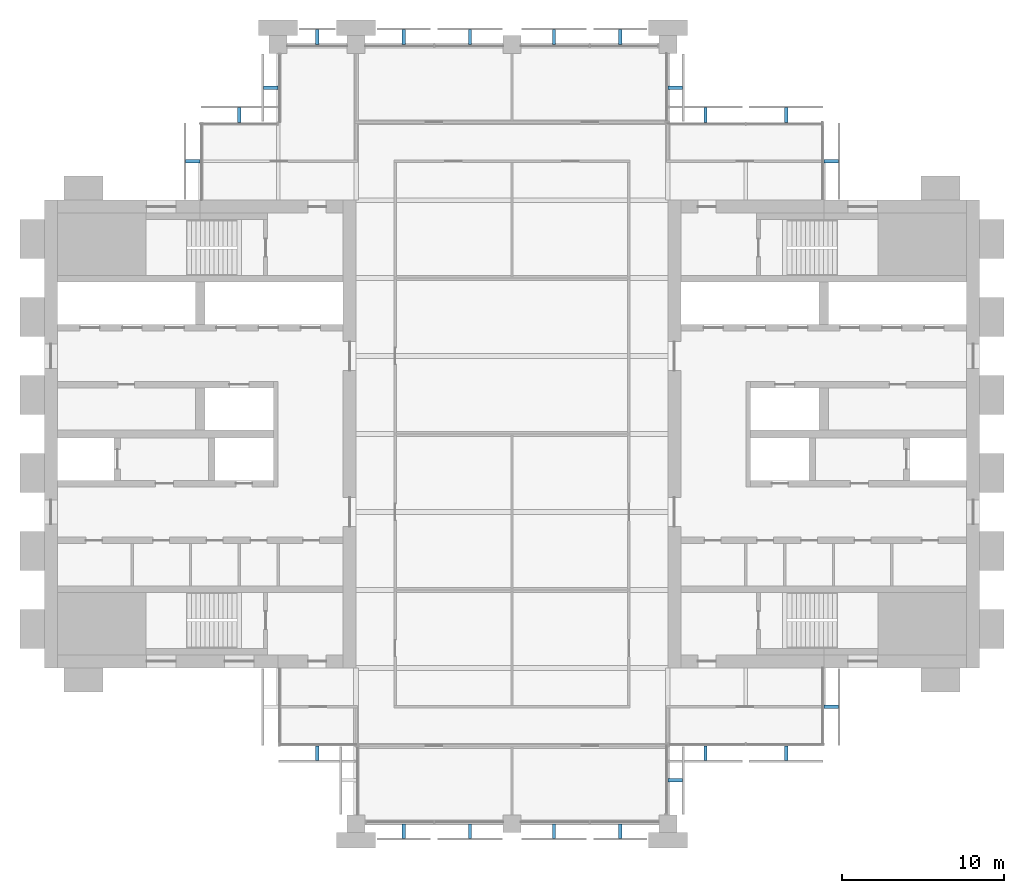
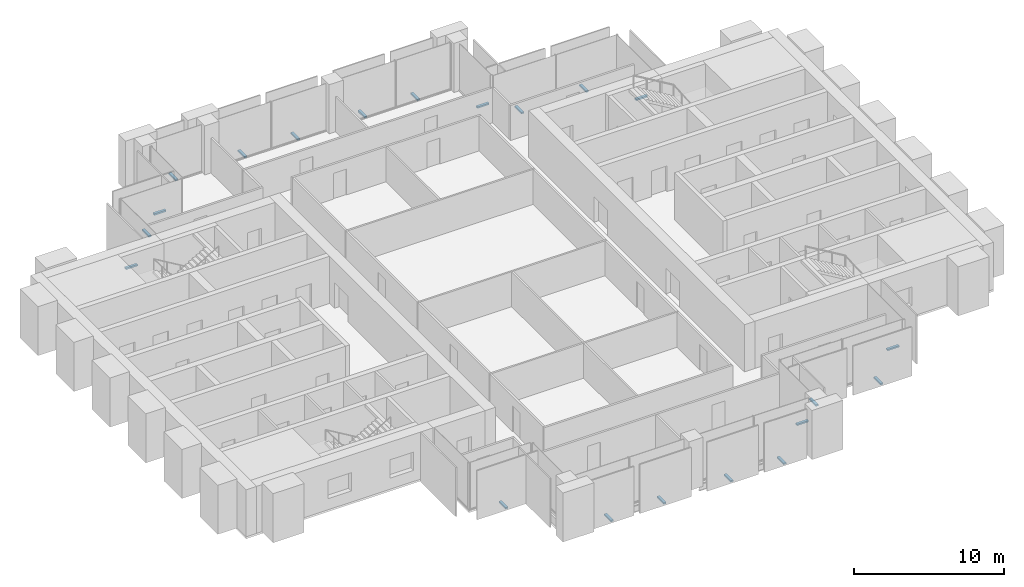
# One storey, part 12 of 13: 21 discrete accessories.
"""IFC4 building model written with IfcOpenShell, lengths in metres."""

import ifcopenshell
import ifcopenshell.guid

model = None  # the IFC model being written
_history = None  # IfcOwnerHistory: only IFC2X3 demands one
_inside = {}  # id of a spatial element -> (the spatial element, [elements in it])
_under = {}  # id of a project, library or spatial element -> (it, [spatial elements below it])
_declared = {}  # id of a project -> (the project, [libraries it declares])
_typed = {}  # id of a type object -> (the type object, [elements of that type])
_made_of = {}  # id of a material, layer set ... -> (it, [elements and type objects made of it])


def new_model(schema):
    """Start an empty IFC model of exactly this schema.

    Asked for "IFC4X3", IfcOpenShell would pick the latest addendum, in which some entities
    have other attributes; the version numbers below select the first issue.
    IFC2X3 requires an IfcOwnerHistory on every rooted entity: one is made here for all.
    """
    global model, _history
    if schema == "IFC4X3":
        model = ifcopenshell.file(schema_version=(4, 3, 0, 0))
    else:
        model = ifcopenshell.file(schema=schema)
    _inside.clear()
    _under.clear()
    _declared.clear()
    _typed.clear()
    _made_of.clear()
    _history = None
    if model.schema == "IFC2X3":
        org = make("IfcOrganization", Name="unknown")
        user = make(
            "IfcPersonAndOrganization",
            ThePerson=make("IfcPerson", FamilyName="unknown"),
            TheOrganization=org,
        )
        app = make(
            "IfcApplication",
            ApplicationDeveloper=org,
            Version="unknown",
            ApplicationFullName="unknown",
            ApplicationIdentifier="unknown",
        )
        _history = make(
            "IfcOwnerHistory",
            OwningUser=user,
            OwningApplication=app,
            ChangeAction="ADDED",
            CreationDate=0,
        )
    return model


def make(cls, **values):
    """One entity of the class cls with the attributes given. An attribute that is None is left unset."""
    return model.create_entity(
        cls, **{name: value for name, value in values.items() if value is not None}
    )


def rooted(cls, **values):
    """An entity with a GlobalId (a new one), such as an element, a storey or a relation."""
    return make(cls, GlobalId=ifcopenshell.guid.new(), OwnerHistory=_history, **values)


def si_unit(unit_type, name, prefix=None):
    """IfcSIUnit, for example si_unit("LENGTHUNIT", "METRE", prefix="MILLI")."""
    return make("IfcSIUnit", UnitType=unit_type, Prefix=prefix, Name=name)


def assignment(units):
    """IfcUnitAssignment: the units of a project."""
    return None if units is None else make("IfcUnitAssignment", Units=units)


def point(xyz):
    """IfcCartesianPoint."""
    return None if xyz is None else make("IfcCartesianPoint", Coordinates=xyz)


def direction(xyz):
    """IfcDirection."""
    return None if xyz is None else make("IfcDirection", DirectionRatios=xyz)


def frame(location, z_axis=None, x_axis=None):
    """IfcAxis2Placement3D, a coordinate frame: its origin and axes. An axis left out is left unset."""
    return make(
        "IfcAxis2Placement3D",
        Location=point(location),
        Axis=direction(z_axis),
        RefDirection=direction(x_axis),
    )


def frame_2d(location, x_axis=None):
    """IfcAxis2Placement2D, a coordinate frame in the plane: its origin and x axis."""
    return make(
        "IfcAxis2Placement2D", Location=point(location), RefDirection=direction(x_axis)
    )


def origin():
    """The frame at (0, 0, 0) with its axes left unset."""
    return frame((0.0, 0.0, 0.0))


def origin_2d():
    """The frame at (0, 0) in the plane with its x axis left unset."""
    return frame_2d((0.0, 0.0))


def place(relative_to, where):
    """IfcLocalPlacement: puts the frame where relative to a parent placement (None: the world)."""
    return make(
        "IfcLocalPlacement", PlacementRelTo=relative_to, RelativePlacement=where
    )


def context(
    kind, dimensions, precision=None, world=None, true_north=None, identifier=None
):
    """IfcGeometricRepresentationContext, for example the 3D "Model" context."""
    return make(
        "IfcGeometricRepresentationContext",
        ContextIdentifier=identifier,
        ContextType=kind,
        CoordinateSpaceDimension=dimensions,
        Precision=precision,
        WorldCoordinateSystem=world,
        TrueNorth=true_north,
    )


def subcontext(parent, identifier, kind, view, scale=None):
    """IfcGeometricRepresentationSubContext, for example "Body" below "Model"."""
    return make(
        "IfcGeometricRepresentationSubContext",
        ContextIdentifier=identifier,
        ContextType=kind,
        ParentContext=parent,
        TargetScale=scale,
        TargetView=view,
    )


def project(units=None, contexts=None):
    """IfcProject with its units and contexts."""
    return rooted(
        "IfcProject",
        Name="project",
        RepresentationContexts=contexts,
        UnitsInContext=assignment(units),
    )


def spatial(cls, under=None, at=None, **own):
    """A site, building, storey or space (cls), placed at a placement, below another one or the project."""
    s = rooted(cls, ObjectPlacement=at, **own)
    if under is not None:
        _under.setdefault(under.id(), (under, []))[1].append(s)
    return s


def profile(cls, at=None, kind="AREA", **sizes):
    """A parametric profile (cls). Its sizes go by their IFC names, for example OverallWidth=200.0."""
    return make(cls, ProfileType=kind, Position=at, **sizes)


def rectangle(**sizes):
    """IfcRectangleProfileDef."""
    return profile("IfcRectangleProfileDef", **sizes)


def extrude(swept, where, along, depth):
    """IfcExtrudedAreaSolid: the profile swept, set in the frame where, extruded along a direction by depth."""
    return make(
        "IfcExtrudedAreaSolid",
        SweptArea=swept,
        Position=where,
        ExtrudedDirection=direction(along),
        Depth=depth,
    )


def shape(context_of_items, identifier, shape_type, items):
    """IfcShapeRepresentation: the items that make up one representation, for example the "Body"."""
    return make(
        "IfcShapeRepresentation",
        ContextOfItems=context_of_items,
        RepresentationIdentifier=identifier,
        RepresentationType=shape_type,
        Items=items,
    )


def material(Name=None, Category=None):
    """IfcMaterial."""
    return make("IfcMaterial", Name=Name, Category=Category)


def made_of(thing, what):
    """Note that an element or type object is made of a material, layer set ...; save() writes the relation."""
    if what is not None:
        _made_of.setdefault(what.id(), (what, []))[1].append(thing)
    return thing


def type_object(cls, material=None, **own):
    """A type object (cls), such as IfcWallType, which elements share."""
    return made_of(rooted(cls, **own), material)


def element(
    cls,
    number,
    at=None,
    inside=None,
    cuts=None,
    type_object=None,
    material=None,
    context=None,
    identifier="Body",
    shape_type=None,
    held_by="IfcProductDefinitionShape",
    body=None,
    shapes=None,
    **own,
):
    """One element of the class cls, such as IfcWall. Its Tag is "e" and its number.

    at: its placement. inside: the storey or other place that contains it. cuts: it is an
    opening in that element (IfcRelVoidsElement). A single representation is given by context,
    identifier, shape_type and body (its items); several are given by shapes. held_by: the class
    of the entity that holds the representations. save() writes the other relations.
    """
    e = rooted(cls, Tag="e%d" % number, ObjectPlacement=at, **own)
    if body is not None:
        shapes = [shape(context, identifier, shape_type, body)]
    if shapes is not None:
        e.Representation = make(held_by, Representations=shapes)
    if inside is not None:
        _inside.setdefault(inside.id(), (inside, []))[1].append(e)
    if cuts is not None:
        rooted(
            "IfcRelVoidsElement", RelatingBuildingElement=cuts, RelatedOpeningElement=e
        )
    if type_object is not None:
        _typed.setdefault(type_object.id(), (type_object, []))[1].append(e)
    return made_of(e, material)


def aggregate(whole, parts):
    """IfcRelAggregates: a whole, such as a stair, and the parts it consists of."""
    return rooted("IfcRelAggregates", RelatingObject=whole, RelatedObjects=parts)


def save(model, path):
    """Write the relations noted so far, then the file.

    IfcRelAggregates (storeys below a building ...), IfcRelContainedInSpatialStructure (elements
    in a storey), IfcRelDefinesByType, IfcRelAssociatesMaterial and IfcRelDeclares: one each for
    every whole, place, type object, material and project.
    """
    for whole, parts in _under.values():
        aggregate(whole, parts)
    for where, things in _inside.values():
        rooted(
            "IfcRelContainedInSpatialStructure",
            RelatedElements=things,
            RelatingStructure=where,
        )
    for kind, things in _typed.values():
        rooted("IfcRelDefinesByType", RelatedObjects=things, RelatingType=kind)
    for what, things in _made_of.values():
        rooted("IfcRelAssociatesMaterial", RelatedObjects=things, RelatingMaterial=what)
    for by, libraries in _declared.values():
        rooted("IfcRelDeclares", RelatingContext=by, RelatedDefinitions=libraries)
    model.write(path)


model = new_model("IFC4")

# Units and contexts
model_context = context("Model", 3, precision=1e-05, world=origin(), true_north=direction((0.0, 1.0)))
body_context = subcontext(model_context, "Body", "Model", "MODEL_VIEW")
ifc_project = project(units=[si_unit("LENGTHUNIT", "METRE"), si_unit("AREAUNIT", "SQUARE_METRE"), si_unit("VOLUMEUNIT", "CUBIC_METRE"), si_unit("PLANEANGLEUNIT", "RADIAN"), si_unit("MASSUNIT", "GRAM", prefix="KILO")], contexts=[model_context])

# Site, building, storey
site_placement = place(None, origin())
site = spatial("IfcSite", under=ifc_project, at=site_placement, CompositionType="ELEMENT")
building_placement = place(site_placement, origin())
building = spatial("IfcBuilding", under=site, at=building_placement, Name="Baori Bourse Tower", CompositionType="ELEMENT")
storey_placement = place(building_placement, frame((0.0, 0.0, 217.199951171875)))
storey = spatial("IfcBuildingStorey", under=building, at=storey_placement, Name="L47", CompositionType="ELEMENT", Elevation=217.199951171875)

# Discrete accessories
ifc_material = material(Name="Pale anodised aluminium", Category="aluminium")
discrete_accessory_type = type_object("IfcDiscreteAccessoryType", Name="OS2 Outer skin bracket", PredefinedType="BRACKET", material=ifc_material)
for number, where, z_axis, x_axis, name in (
    (1, (48.449951171875, 40.800048828125, -0.143798828125), (0.0, 0.0, 1.0), (0.0, 1.0, 0.0), "Outer skin bracket L47 1"),
    (2, (45.6875, 43.64990234375, -0.143798828125), (0.0, 0.0, 1.0), (-1.0, 0.0, 0.0), "Outer skin bracket L47 2"),
    (3, (40.71240234375, 43.64990234375, -0.143798828125), (0.0, 0.0, 1.0), (-1.0, 0.0, 0.0), "Outer skin bracket L47 3"),
    (4, (38.85009765625, 45.324951171875, -0.143798828125), (0.0, 0.0, 1.0), (0.0, 1.0, 0.0), "Outer skin bracket L47 4"),
    (5, (35.46240234375, 48.449951171875, -0.143798828125), (0.0, 0.0, 1.0), (-1.0, 0.0, 0.0), "Outer skin bracket L47 5"),
    (6, (31.387451171875, 48.449951171875, -0.143798828125), (0.0, 0.0, 1.0), (-1.0, 0.0, 0.0), "Outer skin bracket L47 6"),
    (7, (26.21240234375, 48.449951171875, -0.143798828125), (0.0, 0.0, 1.0), (-1.0, 0.0, 0.0), "Outer skin bracket L47 7"),
    (8, (22.137451171875, 48.449951171875, -0.143798828125), (0.0, 0.0, 1.0), (-1.0, 0.0, 0.0), "Outer skin bracket L47 8"),
    (9, (16.800048828125, 48.449951171875, -0.143798828125), (0.0, 0.0, 1.0), (-1.0, 0.0, 0.0), "Outer skin bracket L47 9"),
    (10, (13.949951171875, 45.324951171875, -0.143798828125), (0.0, 0.0, 1.0), (0.0, -1.0, 0.0), "Outer skin bracket L47 10"),
    (11, (12.0, 43.64990234375, -0.143798828125), (0.0, 0.0, 1.0), (-1.0, 0.0, 0.0), "Outer skin bracket L47 11"),
    (12, (9.14990234375, 40.800048828125, -0.143798828125), (0.0, 0.0, 1.0), (0.0, -1.0, 0.0), "Outer skin bracket L47 12"),
    (13, (16.800048828125, 4.35009765625, -0.143798828125), (0.0, 0.0, 1.0), (1.0, 0.0, 0.0), "Outer skin bracket L47 14"),
    (14, (22.137451171875, -0.449951171875, -0.143798828125), (0.0, 0.0, 1.0), (1.0, 0.0, 0.0), "Outer skin bracket L47 16"),
    (15, (26.21240234375, -0.449951171875, -0.143798828125), (0.0, 0.0, 1.0), (1.0, 0.0, 0.0), "Outer skin bracket L47 17"),
    (16, (31.387451171875, -0.449951171875, -0.143798828125), (0.0, 0.0, 1.0), (1.0, 0.0, 0.0), "Outer skin bracket L47 18"),
    (17, (35.46240234375, -0.449951171875, -0.143798828125), (0.0, 0.0, 1.0), (1.0, 0.0, 0.0), "Outer skin bracket L47 19"),
    (18, (38.85009765625, 2.675048828125, -0.143798828125), (0.0, 0.0, 1.0), (0.0, 1.0, 0.0), "Outer skin bracket L47 20"),
    (19, (40.71240234375, 4.35009765625, -0.143798828125), (0.0, 0.0, 1.0), (1.0, 0.0, 0.0), "Outer skin bracket L47 21"),
    (20, (45.6875, 4.35009765625, -0.143798828125), (0.0, 0.0, 1.0), (1.0, 0.0, 0.0), "Outer skin bracket L47 22"),
    (21, (48.449951171875, 7.199951171875, -0.143798828125), (0.0, 0.0, 1.0), (0.0, 1.0, 0.0), "Outer skin bracket L47 23"),
):
    element("IfcDiscreteAccessory", number, at=place(storey_placement, frame(where, z_axis=z_axis, x_axis=x_axis)), inside=storey, type_object=discrete_accessory_type, Name=name, PredefinedType="BRACKET", context=body_context, shape_type="SweptSolid", body=[
        extrude(rectangle(XDim=0.199951171875, YDim=0.89990234375, at=origin_2d()), origin(), (0.0, 0.0, 1.0), 0.1279296875),
    ])

save(model, "model.ifc")
